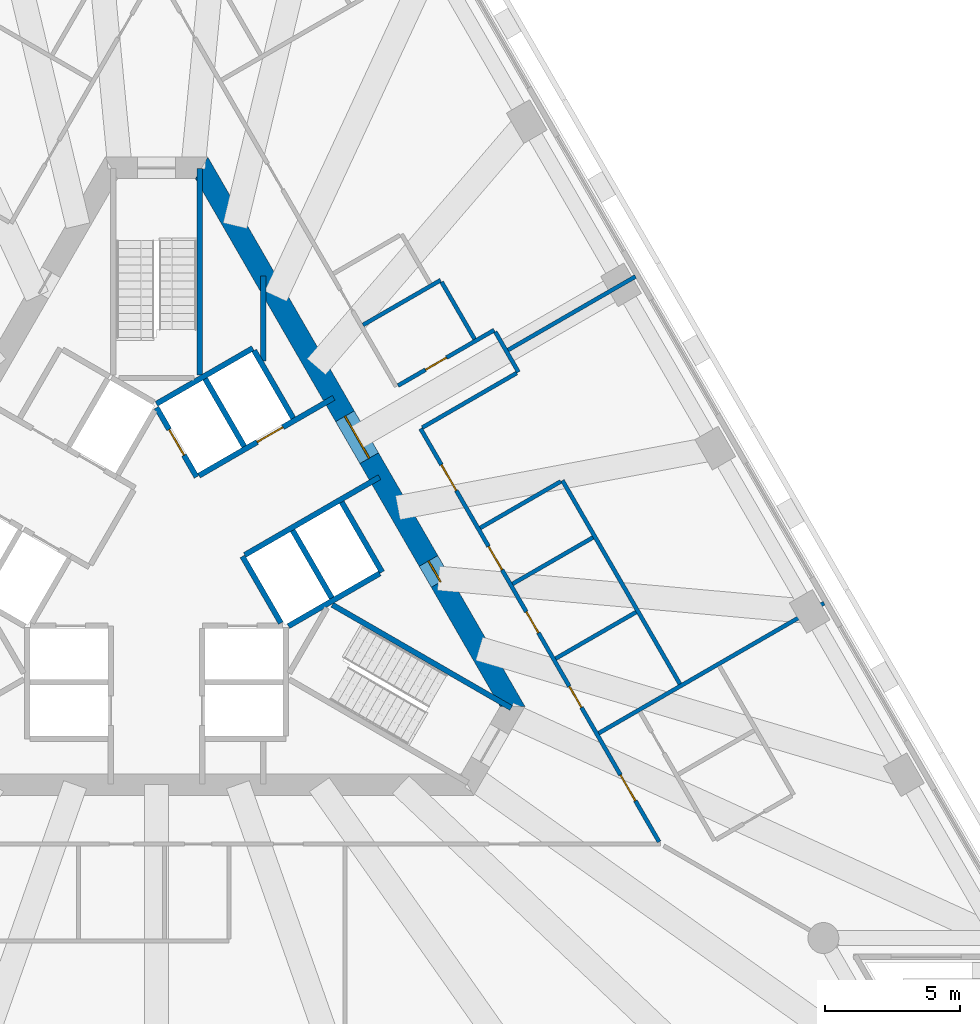
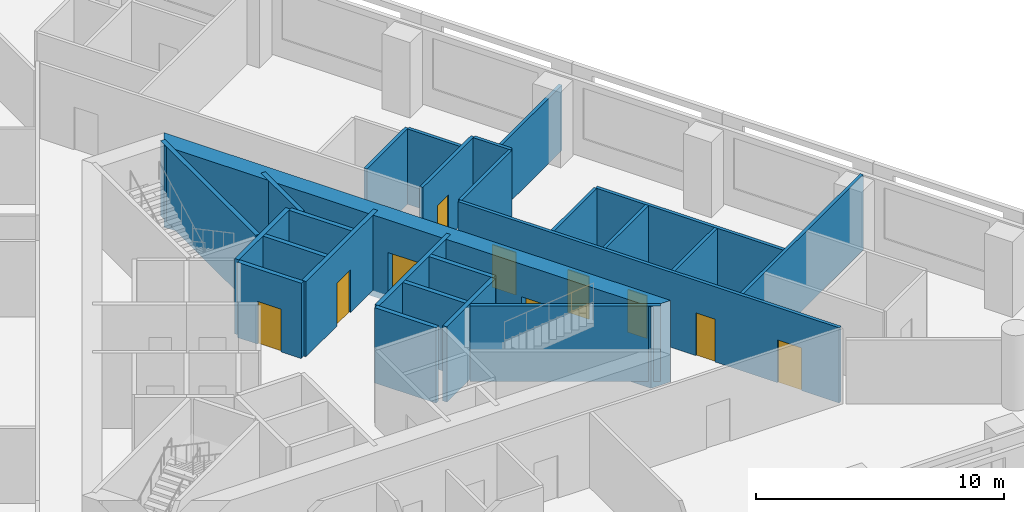
# One storey, part 6 of 10: 26 walls, 10 doors, 10 openings.
"""IFC4 building model written with IfcOpenShell, lengths in metres."""

from ifc_helpers import new_model, si_unit, direction, frame, frame_2d, origin, place, context, subcontext, project, spatial, polyline, rectangle, outline, extrude, material, layer, layer_set, type_object, element, fill, save


model = new_model("IFC4")

# Units and contexts
model_context = context("Model", 3, precision=1e-05, world=origin(), true_north=direction((0.0, 1.0)))
body_context = subcontext(model_context, "Body", "Model", "MODEL_VIEW")
ifc_project = project(units=[si_unit("LENGTHUNIT", "METRE"), si_unit("AREAUNIT", "SQUARE_METRE"), si_unit("VOLUMEUNIT", "CUBIC_METRE"), si_unit("PLANEANGLEUNIT", "RADIAN"), si_unit("MASSUNIT", "GRAM", prefix="KILO")], contexts=[model_context])

# Site, building, storey
site_placement = place(None, origin())
site = spatial("IfcSite", under=ifc_project, at=site_placement, CompositionType="ELEMENT")
building_placement = place(site_placement, origin())
building = spatial("IfcBuilding", under=site, at=building_placement, Name="Triada Interchange Tower", CompositionType="ELEMENT")
storey_placement = place(building_placement, frame((0.0, 0.0, 112.300048828125)))
storey = spatial("IfcBuildingStorey", under=building, at=storey_placement, Name="L25", CompositionType="ELEMENT", Elevation=112.300048828125)

# Wall
ifc_material_1 = material(Name="Concrete C30/37", Category="concrete")
ifc_layer_1 = layer(ifc_material_1, 0.199951171875)
ifc_layer_set_1 = layer_set([ifc_layer_1], Name="CORE WALL 200 EI 120")
wall_type_1 = type_object("IfcWallType", Name="CORE WALL 200 EI 120", PredefinedType="SOLIDWALL", material=ifc_layer_set_1)
wall_1_placement = place(storey_placement, frame((-0.001953125, 5.541015625, 0.0), z_axis=(0.0, 0.0, 1.0), x_axis=(0.86600155993, 0.500041296494, 0.0)))
element("IfcWall", 1, at=wall_1_placement, inside=storey, type_object=wall_type_1, Name="Wall L23 74", PredefinedType="SOLIDWALL", context=body_context, shape_type="SweptSolid", body=[
    extrude(rectangle(XDim=4.131591796875, YDim=0.199951171875, at=frame_2d((2.06591796875, 0.0))), origin(), (0.0, 0.0, 1.0), 3.699951171875),
])

# Wall, opening, door
wall_2_placement = place(storey_placement, frame((0.0, 5.39990234375, 0.0), z_axis=(0.0, 0.0, 1.0), x_axis=(0.500103862429, -0.865965430478, 0.0)))
wall_2 = element("IfcWall", 2, at=wall_2_placement, inside=storey, type_object=wall_type_1, Name="Wall L23 75", PredefinedType="SOLIDWALL", context=body_context, shape_type="SweptSolid", body=[
    extrude(rectangle(XDim=2.973388671875, YDim=0.199951171875, at=frame_2d((1.48681640625, 0.0))), origin(), (0.0, 0.0, 1.0), 3.699951171875),
])
opening_1_placement = place(wall_2_placement, frame((0.93701171875, 0.0, 0.0)))
opening_1 = element("IfcOpeningElement", 3, at=opening_1_placement, cuts=wall_2, Name="Opening LD-LR5", PredefinedType="OPENING", context=body_context, shape_type="SweptSolid", body=[
    extrude(rectangle(XDim=1.10009765625, YDim=2.10009765625, at=frame_2d((0.550048828125, 1.050048828125))), frame((0.0, 0.10986328125, 0.0), z_axis=(0.0, -1.0, 0.0), x_axis=(1.0, 0.0, 0.0)), (0.0, 0.0, 1.0), 0.219970703125),
])
ifc_material_2 = material(Name="Steel S235 door leaf", Category="steel")
door_type_1 = type_object("IfcDoorType", Name="LIFT LANDING DOOR 1100 EI 120", OperationType="SLIDING_TO_LEFT", PredefinedType="DOOR", material=ifc_material_2)
door_1_placement = place(opening_1_placement, origin())
door_1 = element("IfcDoor", 4, at=door_1_placement, inside=storey, type_object=door_type_1, Name="LR5 landing door L25", OperationType="SLIDING_TO_LEFT", OverallHeight=2.10009765625, OverallWidth=1.10009765625, PredefinedType="DOOR", context=body_context, shape_type="SweptSolid", body=[
    extrude(rectangle(XDim=1.10009765625, YDim=2.10009765625, at=frame_2d((0.550048828125, 1.050048828125))), frame((0.0, 0.02490234375, 0.0), z_axis=(0.0, -1.0, 0.0), x_axis=(1.0, 0.0, 0.0)), (0.0, 0.0, 1.0), 0.050048828125),
])
fill(opening_1, door_1)

# Wall
wall_3_placement = place(storey_placement, frame((3.18994140625, -0.125, 0.0), z_axis=(0.0, 0.0, 1.0), x_axis=(0.499988658015, -0.866031951983, 0.0)))
element("IfcWall", 5, at=wall_3_placement, inside=storey, type_object=wall_type_1, Name="Wall L23 76", PredefinedType="SOLIDWALL", context=body_context, shape_type="SweptSolid", body=[
    extrude(rectangle(XDim=2.85791015625, YDim=0.199951171875, at=frame_2d((1.428955078125, 0.0))), origin(), (0.0, 0.0, 1.0), 3.699951171875),
])

# Wall, opening, door
wall_4_placement = place(storey_placement, frame((1.576904296875, 2.8740234375, 0.0), z_axis=(0.0, 0.0, 1.0), x_axis=(0.866073694534, 0.499916348638, 0.0)))
wall_4 = element("IfcWall", 6, at=wall_4_placement, inside=storey, type_object=wall_type_1, Name="Wall L23 77", PredefinedType="SOLIDWALL", context=body_context, shape_type="SweptSolid", body=[
    extrude(rectangle(XDim=5.77685546875, YDim=0.199951171875, at=frame_2d((2.888427734375, 0.0))), origin(), (0.0, 0.0, 1.0), 3.699951171875),
])
opening_2_placement = place(wall_4_placement, frame((2.4970703125, 0.0, 0.0)))
opening_2 = element("IfcOpeningElement", 7, at=opening_2_placement, cuts=wall_4, Name="Opening LD-LR6", PredefinedType="OPENING", context=body_context, shape_type="SweptSolid", body=[
    extrude(rectangle(XDim=1.10009765625, YDim=2.10009765625, at=frame_2d((0.550048828125, 1.050048828125))), frame((0.0, 0.10986328125, 0.0), z_axis=(0.0, -1.0, 0.0), x_axis=(1.0, 0.0, 0.0)), (0.0, 0.0, 1.0), 0.219970703125),
])
door_2_placement = place(opening_2_placement, origin())
door_2 = element("IfcDoor", 8, at=door_2_placement, inside=storey, type_object=door_type_1, Name="LR6 landing door L25", OperationType="SLIDING_TO_LEFT", OverallHeight=2.10009765625, OverallWidth=1.10009765625, PredefinedType="DOOR", context=body_context, shape_type="SweptSolid", body=[
    extrude(rectangle(XDim=1.10009765625, YDim=2.10009765625, at=frame_2d((0.550048828125, 1.050048828125))), frame((0.0, 0.02490234375, 0.0), z_axis=(0.0, -1.0, 0.0), x_axis=(1.0, 0.0, 0.0)), (0.0, 0.0, 1.0), 0.050048828125),
])
fill(opening_2, door_2)

# Walls
wall_5_placement = place(storey_placement, frame((3.278076171875, -0.071044921875, 0.0), z_axis=(0.0, 0.0, 1.0), x_axis=(0.865929348003, 0.5001663366, 0.0)))
element("IfcWall", 9, at=wall_5_placement, inside=storey, type_object=wall_type_1, Name="Wall L23 80", PredefinedType="SOLIDWALL", context=body_context, shape_type="SweptSolid", body=[
    extrude(rectangle(XDim=5.7763671875, YDim=0.199951171875, at=frame_2d((2.88818359375, 0.0))), origin(), (0.0, 0.0, 1.0), 3.699951171875),
])
wall_6_placement = place(storey_placement, frame((3.6259765625, 7.52001953125, 0.0), z_axis=(0.0, 0.0, 1.0), x_axis=(0.500060147554, -0.865990674793, 0.0)))
element("IfcWall", 10, at=wall_6_placement, inside=storey, type_object=wall_type_1, Name="Wall L23 81", PredefinedType="SOLIDWALL", context=body_context, shape_type="SweptSolid", body=[
    extrude(rectangle(XDim=2.899658203125, YDim=0.199951171875, at=frame_2d((1.44970703125, 0.0))), origin(), (0.0, 0.0, 1.0), 3.699951171875),
])
wall_7_placement = place(storey_placement, frame((6.8759765625, 1.89111328125, 0.0), z_axis=(0.0, 0.0, 1.0), x_axis=(0.499990139034, -0.866031096941, 0.0)))
element("IfcWall", 11, at=wall_7_placement, inside=storey, type_object=wall_type_1, Name="Wall L23 82", PredefinedType="SOLIDWALL", context=body_context, shape_type="SweptSolid", body=[
    extrude(rectangle(XDim=3.0, YDim=0.199951171875, at=frame_2d((1.5, 0.0))), origin(), (0.0, 0.0, 1.0), 3.699951171875),
])
for number, where, z_axis, x_axis, name in (
    (12, (1.806884765625, 6.469970703125, 0.0), (0.0, 0.0, 1.0), (0.50012328804, -0.865954211699, 0.0), "Wall L23 83"),
    (13, (5.056884765625, 0.841064453125, 0.0), (0.0, 0.0, 1.0), (0.50012328804, -0.865954211699, 0.0), "Wall L23 84"),
):
    element("IfcWall", number, at=place(storey_placement, frame(where, z_axis=z_axis, x_axis=x_axis)), inside=storey, type_object=wall_type_1, Name=name, PredefinedType="SOLIDWALL", context=body_context, shape_type="SweptSolid", body=[
        extrude(rectangle(XDim=2.899658203125, YDim=0.199951171875, at=frame_2d((1.44970703125, 0.0))), origin(), (0.0, 0.0, 1.0), 3.699951171875),
    ])
wall_8_placement = place(storey_placement, frame((4.89990234375, -2.714111328125, 0.0), z_axis=(0.0, 0.0, 1.0), x_axis=(0.865992350556, 0.500057245502, 0.0)))
element("IfcWall", 14, at=wall_8_placement, inside=storey, type_object=wall_type_1, Name="Wall L23 85", PredefinedType="SOLIDWALL", context=body_context, shape_type="SweptSolid", body=[
    extrude(rectangle(XDim=3.91357421875, YDim=0.199951171875, at=frame_2d((1.956787109375, 0.0))), origin(), (0.0, 0.0, 1.0), 3.699951171875),
])
ifc_layer_2 = layer(ifc_material_1, 0.199951171875)
ifc_layer_set_2 = layer_set([ifc_layer_2], Name="CORE WALL 200 EI 90")
wall_type_2 = type_object("IfcWallType", Name="CORE WALL 200 EI 90", PredefinedType="SOLIDWALL", material=ifc_layer_set_2)
wall_9_placement = place(storey_placement, frame((3.966064453125, 7.1298828125, 0.0), z_axis=(0.0, 0.0, 1.0), x_axis=(0.0, 1.0, 0.0)))
element("IfcWall", 15, at=wall_9_placement, inside=storey, type_object=wall_type_2, Name="Wall L23 102", PredefinedType="SOLIDWALL", context=body_context, shape_type="SweptSolid", body=[
    extrude(rectangle(XDim=3.16015625, YDim=0.199951171875, at=frame_2d((1.580078125, 0.0))), origin(), (0.0, 0.0, 1.0), 3.699951171875),
])
ifc_layer_3 = layer(ifc_material_1, 0.199951171875)
ifc_layer_set_3 = layer_set([ifc_layer_3], Name="CORE WALL 200 REI 240")
wall_type_3 = type_object("IfcWallType", Name="CORE WALL 200 REI 240", PredefinedType="SOLIDWALL", material=ifc_layer_set_3)
wall_10_placement = place(storey_placement, frame((1.60009765625, 6.614990234375, 0.0), z_axis=(0.0, 0.0, 1.0), x_axis=(0.0, 1.0, 0.0)))
element("IfcWall", 16, at=wall_10_placement, inside=storey, type_object=wall_type_3, Name="Wall L23 106", PredefinedType="SOLIDWALL", context=body_context, shape_type="SweptSolid", body=[
    extrude(rectangle(XDim=7.6650390625, YDim=0.199951171875, at=frame_2d((3.83251953125, 0.0))), origin(), (0.0, 0.0, 1.0), 3.699951171875),
])
wall_11_placement = place(storey_placement, frame((6.529052734375, -1.922119140625, 0.0), z_axis=(0.0, 0.0, 1.0), x_axis=(0.866060938598, -0.499938446846, 0.0)))
element("IfcWall", 17, at=wall_11_placement, inside=storey, type_object=wall_type_3, Name="Wall L23 111", PredefinedType="SOLIDWALL", context=body_context, shape_type="SweptSolid", body=[
    extrude(rectangle(XDim=7.66455078125, YDim=0.199951171875, at=frame_2d((3.832275390625, 0.0))), origin(), (0.0, 0.0, 1.0), 3.699951171875),
])

# Wall, openings, doors
ifc_material_3 = material(Name="Concrete C60/75", Category="concrete")
ifc_layer_4 = layer(ifc_material_3, 0.800048828125)
ifc_layer_set_4 = layer_set([ifc_layer_4], Name="Core wall B 800")
wall_type_4 = type_object("IfcWallType", Name="Core wall B 800", PredefinedType="SHEAR", material=ifc_layer_set_4)
wall_12_placement = place(storey_placement, frame((13.220947265625, -5.699951171875, -0.300048828125), z_axis=(0.0, 0.0, 1.0), x_axis=(-0.499995765644, 0.866027848477, 0.0)))
wall_12 = element("IfcWall", 18, at=wall_12_placement, inside=storey, type_object=wall_type_4, Name="Core wall WB06 L25", PredefinedType="SHEAR", context=body_context, shape_type="SweptSolid", body=[
    extrude(outline(polyline([(-0.23095703125, -0.39990234375), (1.73193359375, -0.39990234375), (3.695068359375, -0.39990234375), (5.657958984375, -0.39990234375), (7.62109375, -0.39990234375), (9.583984375, -0.39990234375), (11.546875, -0.39990234375), (13.510009765625, -0.39990234375), (15.472900390625, -0.39990234375), (17.43603515625, -0.39990234375), (19.39892578125, -0.39990234375), (21.362060546875, -0.39990234375), (23.324951171875, -0.39990234375), (22.863037109375, 0.39990234375), (20.97705078125, 0.39990234375), (19.091064453125, 0.39990234375), (17.205078125, 0.39990234375), (15.319091796875, 0.39990234375), (13.43310546875, 0.39990234375), (11.546875, 0.39990234375), (9.660888671875, 0.39990234375), (7.77490234375, 0.39990234375), (5.888916015625, 0.39990234375), (4.0029296875, 0.39990234375), (2.116943359375, 0.39990234375), (0.23095703125, 0.39990234375), (-0.23095703125, -0.39990234375)])), origin(), (0.0, 0.0, 1.0), 4.0),
])
opening_3_placement = place(wall_12_placement, frame((10.64697265625, 0.0, 0.300048828125)))
opening_3 = element("IfcOpeningElement", 19, at=opening_3_placement, cuts=wall_12, Name="Opening D23-42", PredefinedType="OPENING", context=body_context, shape_type="SweptSolid", body=[
    extrude(rectangle(XDim=1.800048828125, YDim=2.10009765625, at=frame_2d((0.89990234375, 1.050048828125))), frame((0.0, 0.409912109375, 0.0), z_axis=(0.0, -1.0, 0.0), x_axis=(1.0, 0.0, 0.0)), (0.0, 0.0, 1.0), 0.820068359375),
])
opening_4_placement = place(wall_12_placement, frame((5.343017578125, 0.0, 0.300048828125)))
opening_4 = element("IfcOpeningElement", 20, at=opening_4_placement, cuts=wall_12, Name="Opening D23-49", PredefinedType="OPENING", context=body_context, shape_type="SweptSolid", body=[
    extrude(rectangle(XDim=0.89990234375, YDim=2.10009765625, at=frame_2d((0.449951171875, 1.050048828125))), frame((0.0, 0.409912109375, 0.0), z_axis=(0.0, -1.0, 0.0), x_axis=(1.0, 0.0, 0.0)), (0.0, 0.0, 1.0), 0.820068359375),
])
door_type_2 = type_object("IfcDoorType", Name="LOBBY DOOR 1800 EI2 90-C5S200", OperationType="DOUBLE_DOOR_SINGLE_SWING", PredefinedType="DOOR", material=ifc_material_2)
door_3_placement = place(opening_3_placement, origin())
door_3 = element("IfcDoor", 21, at=door_3_placement, inside=storey, type_object=door_type_2, Name="Door D23-42 L25", OperationType="DOUBLE_DOOR_SINGLE_SWING", OverallHeight=2.10009765625, OverallWidth=1.800048828125, PredefinedType="DOOR", context=body_context, shape_type="SweptSolid", body=[
    extrude(rectangle(XDim=1.800048828125, YDim=2.10009765625, at=frame_2d((0.89990234375, 1.050048828125))), frame((0.0, 0.02490234375, 0.0), z_axis=(0.0, -1.0, 0.0), x_axis=(1.0, 0.0, 0.0)), (0.0, 0.0, 1.0), 0.050048828125),
])
fill(opening_3, door_3)
door_type_3 = type_object("IfcDoorType", Name="RISER ACCESS DOOR 900 EI2 45-C5S200", OperationType="NOTDEFINED", PredefinedType="DOOR", material=ifc_material_2)
door_4_placement = place(opening_4_placement, origin())
door_4 = element("IfcDoor", 22, at=door_4_placement, inside=storey, type_object=door_type_3, Name="Door D23-49 L25", OperationType="SINGLE_SWING_LEFT", OverallHeight=2.10009765625, OverallWidth=0.89990234375, PredefinedType="DOOR", context=body_context, shape_type="SweptSolid", body=[
    extrude(rectangle(XDim=0.89990234375, YDim=2.10009765625, at=frame_2d((0.449951171875, 1.050048828125))), frame((0.0, 0.02490234375, 0.0), z_axis=(0.0, -1.0, 0.0), x_axis=(1.0, 0.0, 0.0)), (0.0, 0.0, 1.0), 0.050048828125),
])
fill(opening_4, door_4)

# Wall
ifc_material_4 = material(Name="Gypsum board partition")
ifc_layer_5 = layer(ifc_material_4, 0.14990234375)
ifc_layer_set_5 = layer_set([ifc_layer_5], Name="PARTITION 150 EI 180")
wall_type_5 = type_object("IfcWallType", Name="PARTITION 150 EI 180", PredefinedType="PARTITIONING", material=ifc_layer_set_5)
wall_13_placement = place(storey_placement, frame((13.054931640625, 7.537109375, 0.0), z_axis=(0.0, 0.0, 1.0), x_axis=(0.86601735395, 0.500013942463, 0.0)))
element("IfcWall", 23, at=wall_13_placement, inside=storey, type_object=wall_type_5, Name="Wall L23 2", PredefinedType="PARTITIONING", context=body_context, shape_type="SweptSolid", body=[
    extrude(rectangle(XDim=5.461669921875, YDim=0.14990234375, at=frame_2d((2.73095703125, 0.0))), origin(), (0.0, 0.0, 1.0), 3.199951171875),
])

# Wall, openings, doors
wall_14_placement = place(storey_placement, frame((9.803955078125, 4.6201171875, 0.0), z_axis=(0.0, 0.0, 1.0), x_axis=(0.49996419592, -0.866046074293, 0.0)))
wall_14 = element("IfcWall", 24, at=wall_14_placement, inside=storey, type_object=wall_type_5, Name="Wall L23 24", PredefinedType="PARTITIONING", context=body_context, shape_type="SweptSolid", body=[
    extrude(rectangle(XDim=17.717529296875, YDim=0.14990234375, at=frame_2d((8.85888671875, 0.0))), origin(), (0.0, 0.0, 1.0), 3.699951171875),
])
opening_5_placement = place(wall_14_placement, frame((14.85400390625, 0.0, 0.0)))
opening_5 = element("IfcOpeningElement", 25, at=opening_5_placement, cuts=wall_14, Name="Opening D23-21", PredefinedType="OPENING", context=body_context, shape_type="SweptSolid", body=[
    extrude(rectangle(XDim=1.10009765625, YDim=2.10009765625, at=frame_2d((0.550048828125, 1.050048828125))), frame((0.0, 0.0849609375, 0.0), z_axis=(0.0, -1.0, 0.0), x_axis=(1.0, 0.0, 0.0)), (0.0, 0.0, 1.0), 0.169921875),
])
opening_6_placement = place(wall_14_placement, frame((1.552001953125, 0.0, 0.0)))
opening_6 = element("IfcOpeningElement", 26, at=opening_6_placement, cuts=wall_14, Name="Opening D23-24", PredefinedType="OPENING", context=body_context, shape_type="SweptSolid", body=[
    extrude(rectangle(XDim=1.10009765625, YDim=2.10009765625, at=frame_2d((0.550048828125, 1.050048828125))), frame((0.0, 0.0849609375, 0.0), z_axis=(0.0, -1.0, 0.0), x_axis=(1.0, 0.0, 0.0)), (0.0, 0.0, 1.0), 0.169921875),
])
opening_7_placement = place(wall_14_placement, frame((11.052001953125, 0.0, 0.0)))
opening_7 = element("IfcOpeningElement", 27, at=opening_7_placement, cuts=wall_14, Name="Opening D23-25", PredefinedType="OPENING", context=body_context, shape_type="SweptSolid", body=[
    extrude(rectangle(XDim=0.89990234375, YDim=2.10009765625, at=frame_2d((0.449951171875, 1.050048828125))), frame((0.0, 0.0849609375, 0.0), z_axis=(0.0, -1.0, 0.0), x_axis=(1.0, 0.0, 0.0)), (0.0, 0.0, 1.0), 0.169921875),
])
opening_8_placement = place(wall_14_placement, frame((7.85205078125, 0.0, 0.0)))
opening_8 = element("IfcOpeningElement", 28, at=opening_8_placement, cuts=wall_14, Name="Opening D23-26", PredefinedType="OPENING", context=body_context, shape_type="SweptSolid", body=[
    extrude(rectangle(XDim=0.89990234375, YDim=2.10009765625, at=frame_2d((0.449951171875, 1.050048828125))), frame((0.0, 0.0849609375, 0.0), z_axis=(0.0, -1.0, 0.0), x_axis=(1.0, 0.0, 0.0)), (0.0, 0.0, 1.0), 0.169921875),
])
opening_9_placement = place(wall_14_placement, frame((5.052001953125, 0.0, 0.0)))
opening_9 = element("IfcOpeningElement", 29, at=opening_9_placement, cuts=wall_14, Name="Opening D23-27", PredefinedType="OPENING", context=body_context, shape_type="SweptSolid", body=[
    extrude(rectangle(XDim=1.0, YDim=2.10009765625, at=frame_2d((0.5, 1.050048828125))), frame((0.0, 0.0849609375, 0.0), z_axis=(0.0, -1.0, 0.0), x_axis=(1.0, 0.0, 0.0)), (0.0, 0.0, 1.0), 0.169921875),
])
door_type_4 = type_object("IfcDoorType", Name="ROOM DOOR 1000 EI2 90-C5S200", OperationType="NOTDEFINED", PredefinedType="DOOR", material=ifc_material_2)
door_5_placement = place(opening_9_placement, origin())
door_5 = element("IfcDoor", 30, at=door_5_placement, inside=storey, type_object=door_type_4, Name="Door D23-27 L25", OperationType="SINGLE_SWING_LEFT", OverallHeight=2.10009765625, OverallWidth=1.0, PredefinedType="DOOR", context=body_context, shape_type="SweptSolid", body=[
    extrude(rectangle(XDim=1.0, YDim=2.10009765625, at=frame_2d((0.5, 1.050048828125))), frame((0.0, 0.02490234375, 0.0), z_axis=(0.0, -1.0, 0.0), x_axis=(1.0, 0.0, 0.0)), (0.0, 0.0, 1.0), 0.050048828125),
])
fill(opening_9, door_5)
door_type_5 = type_object("IfcDoorType", Name="ROOM DOOR 900 EI2 90-C5S200", OperationType="NOTDEFINED", PredefinedType="DOOR", material=ifc_material_2)
door_6_placement = place(opening_7_placement, origin())
door_6 = element("IfcDoor", 31, at=door_6_placement, inside=storey, type_object=door_type_5, Name="Door D23-25 L25", OperationType="SINGLE_SWING_RIGHT", OverallHeight=2.10009765625, OverallWidth=0.89990234375, PredefinedType="DOOR", context=body_context, shape_type="SweptSolid", body=[
    extrude(rectangle(XDim=0.89990234375, YDim=2.10009765625, at=frame_2d((0.449951171875, 1.050048828125))), frame((0.0, 0.02490234375, 0.0), z_axis=(0.0, -1.0, 0.0), x_axis=(1.0, 0.0, 0.0)), (0.0, 0.0, 1.0), 0.050048828125),
])
fill(opening_7, door_6)
door_7_placement = place(opening_8_placement, origin())
door_7 = element("IfcDoor", 32, at=door_7_placement, inside=storey, type_object=door_type_5, Name="Door D23-26 L25", OperationType="SINGLE_SWING_RIGHT", OverallHeight=2.10009765625, OverallWidth=0.89990234375, PredefinedType="DOOR", context=body_context, shape_type="SweptSolid", body=[
    extrude(rectangle(XDim=0.89990234375, YDim=2.10009765625, at=frame_2d((0.449951171875, 1.050048828125))), frame((0.0, 0.02490234375, 0.0), z_axis=(0.0, -1.0, 0.0), x_axis=(1.0, 0.0, 0.0)), (0.0, 0.0, 1.0), 0.050048828125),
])
fill(opening_8, door_7)
door_type_6 = type_object("IfcDoorType", Name="TENANCY ENTRANCE DOOR 1100 EI2 90-C5S200", OperationType="NOTDEFINED", PredefinedType="DOOR", material=ifc_material_2)
door_8_placement = place(opening_5_placement, origin())
door_8 = element("IfcDoor", 33, at=door_8_placement, inside=storey, type_object=door_type_6, Name="Door D23-21 L25", OperationType="SINGLE_SWING_RIGHT", OverallHeight=2.10009765625, OverallWidth=1.10009765625, PredefinedType="DOOR", context=body_context, shape_type="SweptSolid", body=[
    extrude(rectangle(XDim=1.10009765625, YDim=2.10009765625, at=frame_2d((0.550048828125, 1.050048828125))), frame((0.0, 0.02490234375, 0.0), z_axis=(0.0, -1.0, 0.0), x_axis=(1.0, 0.0, 0.0)), (0.0, 0.0, 1.0), 0.050048828125),
])
fill(opening_5, door_8)
door_9_placement = place(opening_6_placement, origin())
door_9 = element("IfcDoor", 34, at=door_9_placement, inside=storey, type_object=door_type_6, Name="Door D23-24 L25", OperationType="SINGLE_SWING_RIGHT", OverallHeight=2.10009765625, OverallWidth=1.10009765625, PredefinedType="DOOR", context=body_context, shape_type="SweptSolid", body=[
    extrude(rectangle(XDim=1.10009765625, YDim=2.10009765625, at=frame_2d((0.550048828125, 1.050048828125))), frame((0.0, 0.02490234375, 0.0), z_axis=(0.0, -1.0, 0.0), x_axis=(1.0, 0.0, 0.0)), (0.0, 0.0, 1.0), 0.050048828125),
])
fill(opening_6, door_9)

# Wall
wall_15_placement = place(storey_placement, frame((7.66796875, 8.468017578125, 0.0), z_axis=(0.0, 0.0, 1.0), x_axis=(0.865993651241, 0.500054992986, 0.0)))
element("IfcWall", 35, at=wall_15_placement, inside=storey, type_object=wall_type_5, Name="Wall L23 31", PredefinedType="PARTITIONING", context=body_context, shape_type="SweptSolid", body=[
    extrude(rectangle(XDim=3.325927734375, YDim=0.14990234375, at=frame_2d((1.6630859375, 0.0))), origin(), (0.0, 0.0, 1.0), 3.699951171875),
])

# Wall, opening, door
wall_16_placement = place(storey_placement, frame((8.968994140625, 6.217041015625, 0.0), z_axis=(0.0, 0.0, 1.0), x_axis=(0.865997263264, 0.500048737644, 0.0)))
wall_16 = element("IfcWall", 36, at=wall_16_placement, inside=storey, type_object=wall_type_5, Name="Wall L23 32", PredefinedType="PARTITIONING", context=body_context, shape_type="SweptSolid", body=[
    extrude(rectangle(XDim=4.12353515625, YDim=0.14990234375, at=frame_2d((2.061767578125, 0.0))), origin(), (0.0, 0.0, 1.0), 3.699951171875),
])
opening_10_placement = place(wall_16_placement, frame((1.174072265625, 0.0, 0.0)))
opening_10 = element("IfcOpeningElement", 37, at=opening_10_placement, cuts=wall_16, Name="Opening D23-29", PredefinedType="OPENING", context=body_context, shape_type="SweptSolid", body=[
    extrude(rectangle(XDim=0.89990234375, YDim=2.10009765625, at=frame_2d((0.449951171875, 1.050048828125))), frame((0.0, 0.0849609375, 0.0), z_axis=(0.0, -1.0, 0.0), x_axis=(1.0, 0.0, 0.0)), (0.0, 0.0, 1.0), 0.169921875),
])
door_10_placement = place(opening_10_placement, origin())
door_10 = element("IfcDoor", 38, at=door_10_placement, inside=storey, type_object=door_type_5, Name="Door D23-29 L25", OperationType="SINGLE_SWING_RIGHT", OverallHeight=2.10009765625, OverallWidth=0.89990234375, PredefinedType="DOOR", context=body_context, shape_type="SweptSolid", body=[
    extrude(rectangle(XDim=0.89990234375, YDim=2.10009765625, at=frame_2d((0.449951171875, 1.050048828125))), frame((0.0, 0.02490234375, 0.0), z_axis=(0.0, -1.0, 0.0), x_axis=(1.0, 0.0, 0.0)), (0.0, 0.0, 1.0), 0.050048828125),
])
fill(opening_10, door_10)

# Walls
wall_17_placement = place(storey_placement, frame((10.5849609375, 10.06591796875, 0.0), z_axis=(0.0, 0.0, 1.0), x_axis=(0.500018594424, -0.866014668023, 0.0)))
element("IfcWall", 39, at=wall_17_placement, inside=storey, type_object=wall_type_5, Name="Wall L23 33", PredefinedType="PARTITIONING", context=body_context, shape_type="SweptSolid", body=[
    extrude(rectangle(XDim=2.4501953125, YDim=0.14990234375, at=frame_2d((1.22509765625, 0.0))), origin(), (0.0, 0.0, 1.0), 3.699951171875),
])
wall_18_placement = place(storey_placement, frame((12.577880859375, 8.214111328125, 0.0), z_axis=(0.0, 0.0, 1.0), x_axis=(0.499746958151, -0.866171448282, 0.0)))
element("IfcWall", 40, at=wall_18_placement, inside=storey, type_object=wall_type_5, Name="Wall L23 34", PredefinedType="PARTITIONING", context=body_context, shape_type="SweptSolid", body=[
    extrude(rectangle(XDim=1.72509765625, YDim=0.14990234375, at=frame_2d((0.862548828125, 0.0))), origin(), (0.0, 0.0, 1.0), 3.699951171875),
])
wall_19_placement = place(storey_placement, frame((15.072021484375, 2.694091796875, 0.0), z_axis=(0.0, 0.0, 1.0), x_axis=(0.500042162787, -0.86600105972, 0.0)))
element("IfcWall", 41, at=wall_19_placement, inside=storey, type_object=wall_type_5, Name="Wall L23 35", PredefinedType="PARTITIONING", context=body_context, shape_type="SweptSolid", body=[
    extrude(rectangle(XDim=8.725341796875, YDim=0.14990234375, at=frame_2d((4.36279296875, 0.0))), origin(), (0.0, 0.0, 1.0), 3.699951171875),
])
wall_20_placement = place(storey_placement, frame((12.02001953125, 0.930908203125, 0.0), z_axis=(0.0, 0.0, 1.0), x_axis=(0.866031223622, 0.49998991961, 0.0)))
element("IfcWall", 42, at=wall_20_placement, inside=storey, type_object=wall_type_5, Name="Wall L23 36", PredefinedType="PARTITIONING", context=body_context, shape_type="SweptSolid", body=[
    extrude(rectangle(XDim=3.4501953125, YDim=0.14990234375, at=frame_2d((1.72509765625, 0.0))), origin(), (0.0, 0.0, 1.0), 3.699951171875),
])
wall_21_placement = place(storey_placement, frame((9.868896484375, 4.657958984375, 0.0), z_axis=(0.0, 0.0, 1.0), x_axis=(0.865929493314, 0.500166085025, 0.0)))
element("IfcWall", 43, at=wall_21_placement, inside=storey, type_object=wall_type_5, Name="Wall L23 37", PredefinedType="PARTITIONING", context=body_context, shape_type="SweptSolid", body=[
    extrude(rectangle(XDim=4.048828125, YDim=0.14990234375, at=frame_2d((2.0244140625, 0.0))), origin(), (0.0, 0.0, 1.0), 3.699951171875),
])
for number, where, z_axis, x_axis, name in (
    (44, (13.219970703125, -1.14697265625, 0.0), (0.0, 0.0, 1.0), (0.866061862632, 0.499936846106, 0.0), "Wall L23 38"),
    (45, (14.820068359375, -3.9189453125, 0.0), (0.0, 0.0, 1.0), (0.866061862632, 0.499936846106, 0.0), "Wall L23 39"),
):
    element("IfcWall", number, at=place(storey_placement, frame(where, z_axis=z_axis, x_axis=x_axis)), inside=storey, type_object=wall_type_5, Name=name, PredefinedType="PARTITIONING", context=body_context, shape_type="SweptSolid", body=[
        extrude(rectangle(XDim=3.4501953125, YDim=0.14990234375, at=frame_2d((1.72509765625, 0.0))), origin(), (0.0, 0.0, 1.0), 3.699951171875),
    ])
wall_22_placement = place(storey_placement, frame((16.419921875, -6.68994140625, 0.0), z_axis=(0.0, 0.0, 1.0), x_axis=(0.866013897511, 0.50001992892, 0.0)))
element("IfcWall", 46, at=wall_22_placement, inside=storey, type_object=wall_type_5, Name="Wall L23 40", PredefinedType="PARTITIONING", context=body_context, shape_type="SweptSolid", body=[
    extrude(rectangle(XDim=9.66162109375, YDim=0.14990234375, at=frame_2d((4.830810546875, 0.0))), origin(), (0.0, 0.0, 1.0), 3.699951171875),
])

save(model, "model.ifc")
